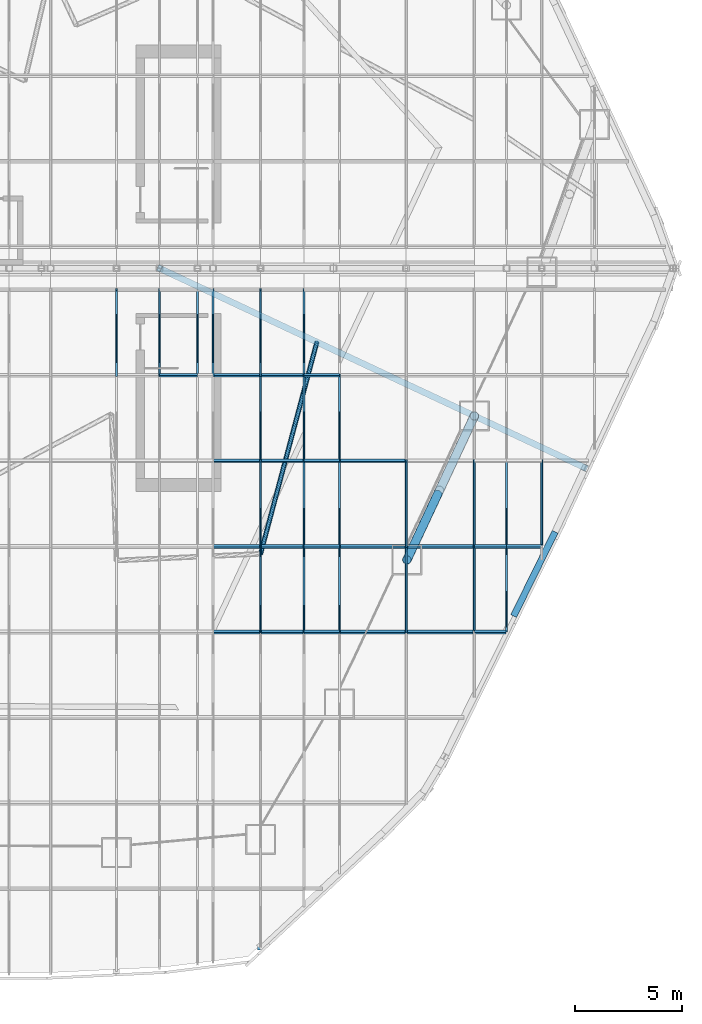
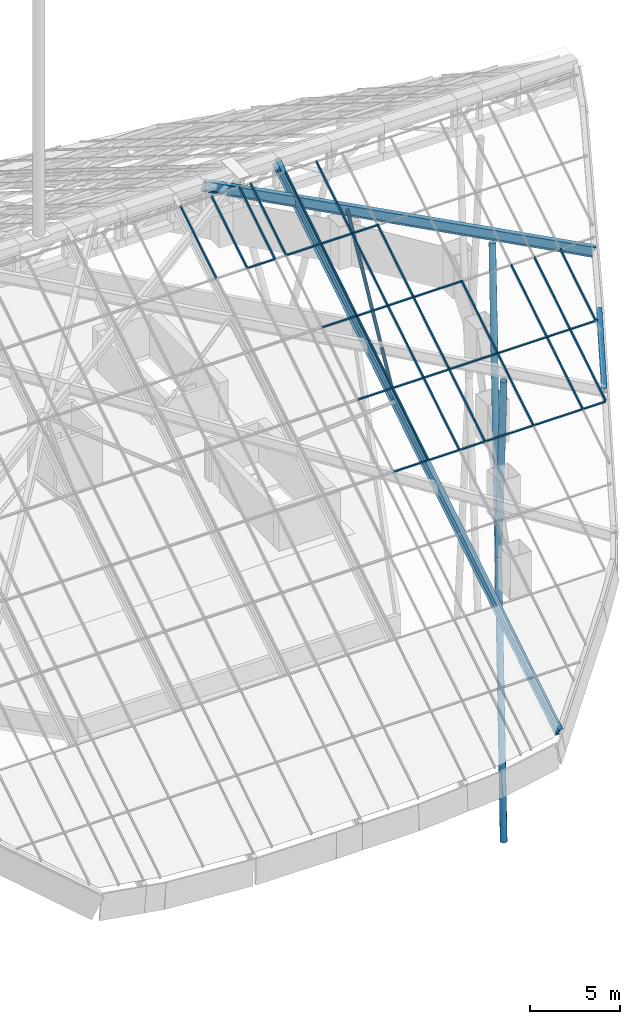
# One storey, part 8 of 38: 49 members, 24 elements without a shape of their own.
"""IFC4 building model written with IfcOpenShell, lengths in metres."""

from ifc_helpers import new_model, si_unit, direction, frame, origin, origin_2d, place, context, subcontext, project, spatial, rectangle, hollow_circle, i_section, extrude, material, layer, layer_set, material_profile, profile_set, type_object, element, aggregate, save


model = new_model("IFC4")

# Units and contexts
model_context = context("Model", 3, precision=1e-05, world=origin(), true_north=direction((0.0, 1.0)))
body_context = subcontext(model_context, "Body", "Model", "MODEL_VIEW")
ifc_project = project(units=[si_unit("LENGTHUNIT", "METRE"), si_unit("AREAUNIT", "SQUARE_METRE"), si_unit("VOLUMEUNIT", "CUBIC_METRE"), si_unit("PLANEANGLEUNIT", "RADIAN"), si_unit("MASSUNIT", "GRAM", prefix="KILO")], contexts=[model_context])

# Site, building, storey
site_placement = place(None, origin())
site = spatial("IfcSite", under=ifc_project, at=site_placement, CompositionType="ELEMENT")
building_placement = place(site_placement, origin())
building = spatial("IfcBuilding", under=site, at=building_placement, Name="Dongbaek Canopy Tower", CompositionType="ELEMENT")
storey_placement = place(building_placement, frame((0.0, 0.0, 375.800048828125)))
storey = spatial("IfcBuildingStorey", under=building, at=storey_placement, Name="Roof", CompositionType="ELEMENT", Elevation=375.800048828125)

# Members
ifc_material_1 = material(Name="Steel S355", Category="steel")
ifc_material_profile_1 = material_profile(ifc_material_1, hollow_circle(Radius=0.203125, WallThickness=0.0126953125, at=origin_2d()), Name="COLONNADE BRACE CHS 406.4x12.7 Steel S355")
ifc_profile_set_1 = profile_set([ifc_material_profile_1], Name="Steel S355")
member_type_1 = type_object("IfcMemberType", Name="COLONNADE BRACE CHS 406.4x12.7 Steel S355", PredefinedType="BRACE", material=ifc_profile_set_1)
member_1_placement = place(storey_placement, frame((22.068115234375, -13.587890625, -22.199951171875), z_axis=(0.086512074832, 0.184734774759, 0.978973300914), x_axis=(-0.905614021722, 0.424102869197, 0.0)))
element("IfcMember", 1, at=member_1_placement, inside=storey, type_object=member_type_1, Name="XBRACE:10:0", PredefinedType="BRACE", context=body_context, shape_type="SweptSolid", body=[
    extrude(hollow_circle(Radius=0.203125, WallThickness=0.0126953125, at=origin_2d()), origin(), (0.0, 0.0, 1.0), 36.31689453125),
])
member_2_placement = place(storey_placement, frame((22.068115234375, -13.587890625, 9.160888671875), z_axis=(0.097503473926, 0.208196630112, -0.97321489702), x_axis=(-0.905607149974, 0.42411754257, 0.0)))
element("IfcMember", 2, at=member_2_placement, inside=storey, type_object=member_type_1, Name="XBRACE:10:2", PredefinedType="BRACE", context=body_context, shape_type="SweptSolid", body=[
    extrude(hollow_circle(Radius=0.203125, WallThickness=0.0126953125, at=origin_2d()), origin(), (0.0, 0.0, 1.0), 14.622802734375),
])

# Curtain wall, member
ifc_material_2 = material(Name="Aluminium 6063-T6 pale anodised", Category="aluminium")
ifc_layer = layer(ifc_material_2, 0.199951171875)
ifc_layer_set = layer_set([ifc_layer], Name="CW-6 canopy glazing curtain wall")
curtain_wall_type = type_object("IfcCurtainWallType", Name="CW-6 canopy glazing curtain wall", PredefinedType="NOTDEFINED", material=ifc_layer_set)
curtain_wall_1_placement = place(storey_placement, origin())
curtain_wall_1 = element("IfcCurtainWall", 3, at=curtain_wall_1_placement, inside=storey, type_object=curtain_wall_type, Name="CW-6 canopy glazing south 19.1", PredefinedType="NOTDEFINED")
ifc_material_3 = material(Name="Aluminium 6063-T6 pale anodised", Category="aluminium")
ifc_material_profile_2 = material_profile(ifc_material_3, rectangle(XDim=0.080078125, YDim=0.199951171875, at=origin_2d()), Name="CW-6 mullion 80 x 200")
ifc_profile_set_2 = profile_set([ifc_material_profile_2], Name="Aluminium 6063-T6 pale anodised")
member_type_2 = type_object("IfcMemberType", Name="CW-6 mullion 80 x 200", PredefinedType="MULLION", material=ifc_profile_set_2)
member_3_placement = place(storey_placement, frame((8.533935546875, -1.0, 18.0986328125), z_axis=(0.0, -0.848068327403, -0.529886886095), x_axis=(1.0, 0.0, 0.0)))
member_3 = element("IfcMember", 4, at=member_3_placement, type_object=member_type_2, Name="CW-6 mullion S19.1.8.5", PredefinedType="MULLION", context=body_context, shape_type="SweptSolid", body=[
    extrude(rectangle(XDim=0.080078125, YDim=0.199951171875, at=origin_2d()), origin(), (0.0, 0.0, 1.0), 4.700439453125),
])
aggregate(curtain_wall_1, [member_3])

curtain_wall_2_placement = place(storey_placement, origin())
curtain_wall_2 = element("IfcCurtainWall", 5, at=curtain_wall_2_placement, inside=storey, type_object=curtain_wall_type, Name="CW-6 canopy glazing south 20.1", PredefinedType="NOTDEFINED")
member_4_placement = place(storey_placement, frame((10.535400390625, -1.0, 18.0986328125), z_axis=(0.0, -0.848068327403, -0.529886886095), x_axis=(1.0, 0.0, 0.0)))
member_4 = element("IfcMember", 6, at=member_4_placement, type_object=member_type_2, Name="CW-6 mullion S20.1.10.5", PredefinedType="MULLION", context=body_context, shape_type="SweptSolid", body=[
    extrude(rectangle(XDim=0.080078125, YDim=0.199951171875, at=origin_2d()), origin(), (0.0, 0.0, 1.0), 4.700439453125),
])
aggregate(curtain_wall_2, [member_4])

curtain_wall_3_placement = place(storey_placement, origin())
curtain_wall_3 = element("IfcCurtainWall", 7, at=curtain_wall_3_placement, inside=storey, type_object=curtain_wall_type, Name="CW-6 canopy glazing south 21.1", PredefinedType="NOTDEFINED")
member_5_placement = place(storey_placement, frame((12.31396484375, -1.0, 18.0986328125), z_axis=(0.0, -0.848068327403, -0.529886886095), x_axis=(1.0, 0.0, 0.0)))
member_5 = element("IfcMember", 8, at=member_5_placement, type_object=member_type_2, Name="CW-6 mullion S21.1.12.3", PredefinedType="MULLION", context=body_context, shape_type="SweptSolid", body=[
    extrude(rectangle(XDim=0.080078125, YDim=0.199951171875, at=origin_2d()), origin(), (0.0, 0.0, 1.0), 4.700439453125),
])

curtain_wall_4_placement = place(storey_placement, origin())
curtain_wall_4 = element("IfcCurtainWall", 9, at=curtain_wall_4_placement, inside=storey, type_object=curtain_wall_type, Name="CW-6 canopy glazing south 22.1", PredefinedType="NOTDEFINED")
member_6_placement = place(storey_placement, frame((13.035400390625, -1.0, 18.0986328125), z_axis=(0.0, -0.848068327403, -0.529886886095), x_axis=(1.0, 0.0, 0.0)))
member_6 = element("IfcMember", 10, at=member_6_placement, type_object=member_type_2, Name="CW-6 mullion S22.1.13.0", PredefinedType="MULLION", context=body_context, shape_type="SweptSolid", body=[
    extrude(rectangle(XDim=0.080078125, YDim=0.199951171875, at=origin_2d()), origin(), (0.0, 0.0, 1.0), 4.700439453125),
])
aggregate(curtain_wall_4, [member_6])

curtain_wall_5_placement = place(storey_placement, origin())
curtain_wall_5 = element("IfcCurtainWall", 11, at=curtain_wall_5_placement, inside=storey, type_object=curtain_wall_type, Name="CW-6 canopy glazing south 23.1", PredefinedType="NOTDEFINED")
member_7_placement = place(storey_placement, frame((15.251953125, -1.0, 18.0986328125), z_axis=(0.0, -0.848068327403, -0.529886886095), x_axis=(1.0, 0.0, 0.0)))
member_7 = element("IfcMember", 12, at=member_7_placement, type_object=member_type_2, Name="CW-6 mullion S23.1.15.3", PredefinedType="MULLION", context=body_context, shape_type="SweptSolid", body=[
    extrude(rectangle(XDim=0.080078125, YDim=0.199951171875, at=origin_2d()), origin(), (0.0, 0.0, 1.0), 4.700439453125),
])

curtain_wall_6_placement = place(storey_placement, origin())
curtain_wall_6 = element("IfcCurtainWall", 13, at=curtain_wall_6_placement, inside=storey, type_object=curtain_wall_type, Name="CW-6 canopy glazing south 23.2", PredefinedType="NOTDEFINED")
member_8_placement = place(storey_placement, frame((15.251953125, -4.986328125, 15.60791015625), z_axis=(0.0, -0.848030400431, -0.529947582262), x_axis=(1.0, 0.0, 0.0)))
member_8 = element("IfcMember", 14, at=member_8_placement, type_object=member_type_2, Name="CW-6 mullion S23.2.15.3", PredefinedType="MULLION", context=body_context, shape_type="SweptSolid", body=[
    extrude(rectangle(XDim=0.080078125, YDim=0.199951171875, at=origin_2d()), origin(), (0.0, 0.0, 1.0), 4.700439453125),
])

curtain_wall_7_placement = place(storey_placement, origin())
curtain_wall_7 = element("IfcCurtainWall", 15, at=curtain_wall_7_placement, inside=storey, type_object=curtain_wall_type, Name="CW-6 canopy glazing south 23.3", PredefinedType="NOTDEFINED")
member_9_placement = place(storey_placement, frame((15.251953125, -8.972412109375, 13.116943359375), z_axis=(0.0, -0.848068327403, -0.529886886095), x_axis=(1.0, 0.0, 0.0)))
member_9 = element("IfcMember", 16, at=member_9_placement, type_object=member_type_2, Name="CW-6 mullion S23.3.15.3", PredefinedType="MULLION", context=body_context, shape_type="SweptSolid", body=[
    extrude(rectangle(XDim=0.080078125, YDim=0.199951171875, at=origin_2d()), origin(), (0.0, 0.0, 1.0), 4.700439453125),
])

curtain_wall_8_placement = place(storey_placement, origin())
curtain_wall_8 = element("IfcCurtainWall", 17, at=curtain_wall_8_placement, inside=storey, type_object=curtain_wall_type, Name="CW-6 canopy glazing south 23.4", PredefinedType="NOTDEFINED")
member_10_placement = place(storey_placement, frame((15.251953125, -12.958740234375, 10.626220703125), z_axis=(0.0, -0.848030400431, -0.529947582262), x_axis=(1.0, 0.0, 0.0)))
member_10 = element("IfcMember", 18, at=member_10_placement, type_object=member_type_2, Name="CW-6 mullion S23.4.15.3", PredefinedType="MULLION", context=body_context, shape_type="SweptSolid", body=[
    extrude(rectangle(XDim=0.080078125, YDim=0.199951171875, at=origin_2d()), origin(), (0.0, 0.0, 1.0), 4.700439453125),
])

curtain_wall_9_placement = place(storey_placement, origin())
curtain_wall_9 = element("IfcCurtainWall", 19, at=curtain_wall_9_placement, inside=storey, type_object=curtain_wall_type, Name="CW-6 canopy glazing south 24.1", PredefinedType="NOTDEFINED")
member_11_placement = place(storey_placement, frame((17.27587890625, -1.0, 18.0986328125), z_axis=(0.0, -0.848068327403, -0.529886886095), x_axis=(1.0, 0.0, 0.0)))
member_11 = element("IfcMember", 20, at=member_11_placement, type_object=member_type_2, Name="CW-6 mullion S24.1.17.3", PredefinedType="MULLION", context=body_context, shape_type="SweptSolid", body=[
    extrude(rectangle(XDim=0.080078125, YDim=0.199951171875, at=origin_2d()), origin(), (0.0, 0.0, 1.0), 4.700439453125),
])

curtain_wall_10_placement = place(storey_placement, origin())
curtain_wall_10 = element("IfcCurtainWall", 21, at=curtain_wall_10_placement, inside=storey, type_object=curtain_wall_type, Name="CW-6 canopy glazing south 24.2", PredefinedType="NOTDEFINED")
member_12_placement = place(storey_placement, frame((17.27587890625, -4.986328125, 15.60791015625), z_axis=(0.0, -0.848030400431, -0.529947582262), x_axis=(1.0, 0.0, 0.0)))
member_12 = element("IfcMember", 22, at=member_12_placement, type_object=member_type_2, Name="CW-6 mullion S24.2.17.3", PredefinedType="MULLION", context=body_context, shape_type="SweptSolid", body=[
    extrude(rectangle(XDim=0.080078125, YDim=0.199951171875, at=origin_2d()), origin(), (0.0, 0.0, 1.0), 4.700439453125),
])

curtain_wall_11_placement = place(storey_placement, origin())
curtain_wall_11 = element("IfcCurtainWall", 23, at=curtain_wall_11_placement, inside=storey, type_object=curtain_wall_type, Name="CW-6 canopy glazing south 24.3", PredefinedType="NOTDEFINED")
member_13_placement = place(storey_placement, frame((17.27587890625, -8.972412109375, 13.116943359375), z_axis=(0.0, -0.848068327403, -0.529886886095), x_axis=(1.0, 0.0, 0.0)))
member_13 = element("IfcMember", 24, at=member_13_placement, type_object=member_type_2, Name="CW-6 mullion S24.3.17.3", PredefinedType="MULLION", context=body_context, shape_type="SweptSolid", body=[
    extrude(rectangle(XDim=0.080078125, YDim=0.199951171875, at=origin_2d()), origin(), (0.0, 0.0, 1.0), 4.700439453125),
])

curtain_wall_12_placement = place(storey_placement, origin())
curtain_wall_12 = element("IfcCurtainWall", 25, at=curtain_wall_12_placement, inside=storey, type_object=curtain_wall_type, Name="CW-6 canopy glazing south 24.4", PredefinedType="NOTDEFINED")
member_14_placement = place(storey_placement, frame((17.27587890625, -12.958740234375, 10.626220703125), z_axis=(0.0, -0.848030400431, -0.529947582262), x_axis=(1.0, 0.0, 0.0)))
member_14 = element("IfcMember", 26, at=member_14_placement, type_object=member_type_2, Name="CW-6 mullion S24.4.17.3", PredefinedType="MULLION", context=body_context, shape_type="SweptSolid", body=[
    extrude(rectangle(XDim=0.080078125, YDim=0.199951171875, at=origin_2d()), origin(), (0.0, 0.0, 1.0), 4.700439453125),
])

curtain_wall_13_placement = place(storey_placement, origin())
curtain_wall_13 = element("IfcCurtainWall", 27, at=curtain_wall_13_placement, inside=storey, type_object=curtain_wall_type, Name="CW-6 canopy glazing south 25.2", PredefinedType="NOTDEFINED")
member_15_placement = place(storey_placement, frame((18.925048828125, -4.986328125, 15.60791015625), z_axis=(0.0, -0.848030400431, -0.529947582262), x_axis=(1.0, 0.0, 0.0)))
member_15 = element("IfcMember", 28, at=member_15_placement, type_object=member_type_2, Name="CW-6 mullion S25.2.18.9", PredefinedType="MULLION", context=body_context, shape_type="SweptSolid", body=[
    extrude(rectangle(XDim=0.080078125, YDim=0.199951171875, at=origin_2d()), origin(), (0.0, 0.0, 1.0), 4.700439453125),
])

curtain_wall_14_placement = place(storey_placement, origin())
curtain_wall_14 = element("IfcCurtainWall", 29, at=curtain_wall_14_placement, inside=storey, type_object=curtain_wall_type, Name="CW-6 canopy glazing south 25.3", PredefinedType="NOTDEFINED")
member_16_placement = place(storey_placement, frame((18.925048828125, -8.972412109375, 13.116943359375), z_axis=(0.0, -0.848068327403, -0.529886886095), x_axis=(1.0, 0.0, 0.0)))
member_16 = element("IfcMember", 30, at=member_16_placement, type_object=member_type_2, Name="CW-6 mullion S25.3.18.9", PredefinedType="MULLION", context=body_context, shape_type="SweptSolid", body=[
    extrude(rectangle(XDim=0.080078125, YDim=0.199951171875, at=origin_2d()), origin(), (0.0, 0.0, 1.0), 4.700439453125),
])

curtain_wall_15_placement = place(storey_placement, origin())
curtain_wall_15 = element("IfcCurtainWall", 31, at=curtain_wall_15_placement, inside=storey, type_object=curtain_wall_type, Name="CW-6 canopy glazing south 25.4", PredefinedType="NOTDEFINED")
member_17_placement = place(storey_placement, frame((18.925048828125, -12.958740234375, 10.626220703125), z_axis=(0.0, -0.848030400431, -0.529947582262), x_axis=(1.0, 0.0, 0.0)))
member_17 = element("IfcMember", 32, at=member_17_placement, type_object=member_type_2, Name="CW-6 mullion S25.4.18.9", PredefinedType="MULLION", context=body_context, shape_type="SweptSolid", body=[
    extrude(rectangle(XDim=0.080078125, YDim=0.199951171875, at=origin_2d()), origin(), (0.0, 0.0, 1.0), 4.700439453125),
])

curtain_wall_16_placement = place(storey_placement, origin())
curtain_wall_16 = element("IfcCurtainWall", 33, at=curtain_wall_16_placement, inside=storey, type_object=curtain_wall_type, Name="CW-6 canopy glazing south 26.3", PredefinedType="NOTDEFINED")
member_18_placement = place(storey_placement, frame((22.035400390625, -8.972412109375, 13.116943359375), z_axis=(0.0, -0.848068327403, -0.529886886095), x_axis=(1.0, 0.0, 0.0)))
member_18 = element("IfcMember", 34, at=member_18_placement, type_object=member_type_2, Name="CW-6 mullion S26.3.22.0", PredefinedType="MULLION", context=body_context, shape_type="SweptSolid", body=[
    extrude(rectangle(XDim=0.080078125, YDim=0.199951171875, at=origin_2d()), origin(), (0.0, 0.0, 1.0), 4.700439453125),
])

curtain_wall_17_placement = place(storey_placement, origin())
curtain_wall_17 = element("IfcCurtainWall", 35, at=curtain_wall_17_placement, inside=storey, type_object=curtain_wall_type, Name="CW-6 canopy glazing south 26.4", PredefinedType="NOTDEFINED")
member_19_placement = place(storey_placement, frame((22.035400390625, -12.958740234375, 10.626220703125), z_axis=(0.0, -0.848030400431, -0.529947582262), x_axis=(1.0, 0.0, 0.0)))
member_19 = element("IfcMember", 36, at=member_19_placement, type_object=member_type_2, Name="CW-6 mullion S26.4.22.0", PredefinedType="MULLION", context=body_context, shape_type="SweptSolid", body=[
    extrude(rectangle(XDim=0.080078125, YDim=0.199951171875, at=origin_2d()), origin(), (0.0, 0.0, 1.0), 4.700439453125),
])

curtain_wall_18_placement = place(storey_placement, origin())
curtain_wall_18 = element("IfcCurtainWall", 37, at=curtain_wall_18_placement, inside=storey, type_object=curtain_wall_type, Name="CW-6 canopy glazing south 27.3", PredefinedType="NOTDEFINED")
member_20_placement = place(storey_placement, frame((25.2099609375, -8.972412109375, 13.116943359375), z_axis=(0.0, -0.848068327403, -0.529886886095), x_axis=(1.0, 0.0, 0.0)))
member_20 = element("IfcMember", 38, at=member_20_placement, type_object=member_type_2, Name="CW-6 mullion S27.3.25.2", PredefinedType="MULLION", context=body_context, shape_type="SweptSolid", body=[
    extrude(rectangle(XDim=0.080078125, YDim=0.199951171875, at=origin_2d()), origin(), (0.0, 0.0, 1.0), 4.700439453125),
])

curtain_wall_19_placement = place(storey_placement, origin())
curtain_wall_19 = element("IfcCurtainWall", 39, at=curtain_wall_19_placement, inside=storey, type_object=curtain_wall_type, Name="CW-6 canopy glazing south 27.4", PredefinedType="NOTDEFINED")
member_21_placement = place(storey_placement, frame((25.2099609375, -12.958740234375, 10.626220703125), z_axis=(0.0, -0.848030400431, -0.529947582262), x_axis=(1.0, 0.0, 0.0)))
member_21 = element("IfcMember", 40, at=member_21_placement, type_object=member_type_2, Name="CW-6 mullion S27.4.25.2", PredefinedType="MULLION", context=body_context, shape_type="SweptSolid", body=[
    extrude(rectangle(XDim=0.080078125, YDim=0.199951171875, at=origin_2d()), origin(), (0.0, 0.0, 1.0), 4.700439453125),
])

curtain_wall_20_placement = place(storey_placement, origin())
curtain_wall_20 = element("IfcCurtainWall", 41, at=curtain_wall_20_placement, inside=storey, type_object=curtain_wall_type, Name="CW-6 canopy glazing south 28.3", PredefinedType="NOTDEFINED")
member_22_placement = place(storey_placement, frame((26.702880859375, -8.972412109375, 13.116943359375), z_axis=(0.0, -0.848068327403, -0.529886886095), x_axis=(1.0, 0.0, 0.0)))
member_22 = element("IfcMember", 42, at=member_22_placement, type_object=member_type_2, Name="CW-6 mullion S28.3.26.7", PredefinedType="MULLION", context=body_context, shape_type="SweptSolid", body=[
    extrude(rectangle(XDim=0.080078125, YDim=0.199951171875, at=origin_2d()), origin(), (0.0, 0.0, 1.0), 4.700439453125),
])

curtain_wall_21_placement = place(storey_placement, origin())
curtain_wall_21 = element("IfcCurtainWall", 43, at=curtain_wall_21_placement, inside=storey, type_object=curtain_wall_type, Name="CW-6 canopy glazing south 28.4", PredefinedType="NOTDEFINED")
member_23_placement = place(storey_placement, frame((26.702880859375, -12.958740234375, 10.626220703125), z_axis=(0.0, -0.848039704119, -0.529932694064), x_axis=(1.0, 0.0, 0.0)))
member_23 = element("IfcMember", 44, at=member_23_placement, type_object=member_type_2, Name="CW-6 mullion S28.4.26.7", PredefinedType="MULLION", context=body_context, shape_type="SweptSolid", body=[
    extrude(rectangle(XDim=0.080078125, YDim=0.199951171875, at=origin_2d()), origin(), (0.0, 0.0, 1.0), 4.637939453125),
])

curtain_wall_22_placement = place(storey_placement, origin())
curtain_wall_22 = element("IfcCurtainWall", 45, at=curtain_wall_22_placement, inside=storey, type_object=curtain_wall_type, Name="CW-6 canopy glazing south 29.3", PredefinedType="NOTDEFINED")
member_24_placement = place(storey_placement, frame((28.35107421875, -8.972412109375, 13.116943359375), z_axis=(0.0, -0.848068327403, -0.529886886095), x_axis=(1.0, 0.0, 0.0)))
member_24 = element("IfcMember", 46, at=member_24_placement, type_object=member_type_2, Name="CW-6 mullion S29.3.28.4", PredefinedType="MULLION", context=body_context, shape_type="SweptSolid", body=[
    extrude(rectangle(XDim=0.080078125, YDim=0.199951171875, at=origin_2d()), origin(), (0.0, 0.0, 1.0), 4.700439453125),
])

# Member
ifc_material_4 = material(Name="Aluminium 6063-T6 pale anodised", Category="aluminium")
ifc_material_profile_3 = material_profile(ifc_material_4, rectangle(XDim=0.080078125, YDim=0.199951171875, at=origin_2d()), Name="CW-6 transom 80 x 200")
ifc_profile_set_3 = profile_set([ifc_material_profile_3], Name="Aluminium 6063-T6 pale anodised")
member_type_3 = type_object("IfcMemberType", Name="CW-6 transom 80 x 200", PredefinedType="USERDEFINED", material=ifc_profile_set_3)
member_25_placement = place(storey_placement, frame((10.535400390625, -4.986328125, 15.60791015625), z_axis=(1.0, 0.0, 0.0), x_axis=(0.0, 0.848048096156, 0.529919264233)))
member_25 = element("IfcMember", 47, at=member_25_placement, type_object=member_type_3, Name="CW-6 transom S21.1.2", ObjectType="TRANSOM", PredefinedType="USERDEFINED", context=body_context, shape_type="SweptSolid", body=[
    extrude(rectangle(XDim=0.080078125, YDim=0.199951171875, at=origin_2d()), origin(), (0.0, 0.0, 1.0), 1.778564453125),
])

aggregate(curtain_wall_3, [member_5, member_25])

member_26_placement = place(storey_placement, frame((13.035400390625, -4.986328125, 15.60791015625), z_axis=(1.0, 0.0, 0.0), x_axis=(0.0, 0.848048096156, 0.529919264233)))
member_26 = element("IfcMember", 48, at=member_26_placement, type_object=member_type_3, Name="CW-6 transom S23.1.2", ObjectType="TRANSOM", PredefinedType="USERDEFINED", context=body_context, shape_type="SweptSolid", body=[
    extrude(rectangle(XDim=0.080078125, YDim=0.199951171875, at=origin_2d()), origin(), (0.0, 0.0, 1.0), 2.216552734375),
])

aggregate(curtain_wall_5, [member_7, member_26])

member_27_placement = place(storey_placement, frame((13.035400390625, -8.972412109375, 13.116943359375), z_axis=(1.0, 0.0, 0.0), x_axis=(0.0, 0.848048096156, 0.529919264233)))
member_27 = element("IfcMember", 49, at=member_27_placement, type_object=member_type_3, Name="CW-6 transom S23.2.3", ObjectType="TRANSOM", PredefinedType="USERDEFINED", context=body_context, shape_type="SweptSolid", body=[
    extrude(rectangle(XDim=0.080078125, YDim=0.199951171875, at=origin_2d()), origin(), (0.0, 0.0, 1.0), 2.216552734375),
])

aggregate(curtain_wall_6, [member_8, member_27])

member_28_placement = place(storey_placement, frame((13.035400390625, -12.958740234375, 10.626220703125), z_axis=(1.0, 0.0, 0.0), x_axis=(0.0, 0.848048096156, 0.529919264233)))
member_28 = element("IfcMember", 50, at=member_28_placement, type_object=member_type_3, Name="CW-6 transom S23.3.4", ObjectType="TRANSOM", PredefinedType="USERDEFINED", context=body_context, shape_type="SweptSolid", body=[
    extrude(rectangle(XDim=0.080078125, YDim=0.199951171875, at=origin_2d()), origin(), (0.0, 0.0, 1.0), 2.216552734375),
])

aggregate(curtain_wall_7, [member_9, member_28])

member_29_placement = place(storey_placement, frame((13.035400390625, -16.94482421875, 8.13525390625), z_axis=(1.0, 0.0, 0.0), x_axis=(0.0, 0.848048096156, 0.529919264233)))
member_29 = element("IfcMember", 51, at=member_29_placement, type_object=member_type_3, Name="CW-6 transom S23.4.5", ObjectType="TRANSOM", PredefinedType="USERDEFINED", context=body_context, shape_type="SweptSolid", body=[
    extrude(rectangle(XDim=0.080078125, YDim=0.199951171875, at=origin_2d()), origin(), (0.0, 0.0, 1.0), 2.216552734375),
])

aggregate(curtain_wall_8, [member_10, member_29])

member_30_placement = place(storey_placement, frame((15.251953125, -4.986328125, 15.60791015625), z_axis=(1.0, 0.0, 0.0), x_axis=(0.0, 0.848048096156, 0.529919264233)))
member_30 = element("IfcMember", 52, at=member_30_placement, type_object=member_type_3, Name="CW-6 transom S24.1.2", ObjectType="TRANSOM", PredefinedType="USERDEFINED", context=body_context, shape_type="SweptSolid", body=[
    extrude(rectangle(XDim=0.080078125, YDim=0.199951171875, at=origin_2d()), origin(), (0.0, 0.0, 1.0), 2.02392578125),
])

aggregate(curtain_wall_9, [member_11, member_30])

member_31_placement = place(storey_placement, frame((15.251953125, -8.972412109375, 13.116943359375), z_axis=(1.0, 0.0, 0.0), x_axis=(0.0, 0.848048096156, 0.529919264233)))
member_31 = element("IfcMember", 53, at=member_31_placement, type_object=member_type_3, Name="CW-6 transom S24.2.3", ObjectType="TRANSOM", PredefinedType="USERDEFINED", context=body_context, shape_type="SweptSolid", body=[
    extrude(rectangle(XDim=0.080078125, YDim=0.199951171875, at=origin_2d()), origin(), (0.0, 0.0, 1.0), 2.02392578125),
])

aggregate(curtain_wall_10, [member_12, member_31])

member_32_placement = place(storey_placement, frame((15.251953125, -12.958740234375, 10.626220703125), z_axis=(1.0, 0.0, 0.0), x_axis=(0.0, 0.848048096156, 0.529919264233)))
member_32 = element("IfcMember", 54, at=member_32_placement, type_object=member_type_3, Name="CW-6 transom S24.3.4", ObjectType="TRANSOM", PredefinedType="USERDEFINED", context=body_context, shape_type="SweptSolid", body=[
    extrude(rectangle(XDim=0.080078125, YDim=0.199951171875, at=origin_2d()), origin(), (0.0, 0.0, 1.0), 2.02392578125),
])

aggregate(curtain_wall_11, [member_13, member_32])

member_33_placement = place(storey_placement, frame((15.251953125, -16.94482421875, 8.13525390625), z_axis=(1.0, 0.0, 0.0), x_axis=(0.0, 0.848048096156, 0.529919264233)))
member_33 = element("IfcMember", 55, at=member_33_placement, type_object=member_type_3, Name="CW-6 transom S24.4.5", ObjectType="TRANSOM", PredefinedType="USERDEFINED", context=body_context, shape_type="SweptSolid", body=[
    extrude(rectangle(XDim=0.080078125, YDim=0.199951171875, at=origin_2d()), origin(), (0.0, 0.0, 1.0), 2.02392578125),
])

aggregate(curtain_wall_12, [member_14, member_33])

# Curtain wall, member
curtain_wall_23_placement = place(storey_placement, origin())
curtain_wall_23 = element("IfcCurtainWall", 56, at=curtain_wall_23_placement, inside=storey, type_object=curtain_wall_type, Name="CW-6 canopy glazing south 25.1", PredefinedType="NOTDEFINED")
member_34_placement = place(storey_placement, frame((17.27587890625, -4.986328125, 15.60791015625), z_axis=(1.0, 0.0, 0.0), x_axis=(0.0, 0.848048096156, 0.529919264233)))
member_34 = element("IfcMember", 57, at=member_34_placement, type_object=member_type_3, Name="CW-6 transom S25.1.2", ObjectType="TRANSOM", PredefinedType="USERDEFINED", context=body_context, shape_type="SweptSolid", body=[
    extrude(rectangle(XDim=0.080078125, YDim=0.199951171875, at=origin_2d()), origin(), (0.0, 0.0, 1.0), 1.649169921875),
])
aggregate(curtain_wall_23, [member_34])

# Member
member_35_placement = place(storey_placement, frame((17.27587890625, -8.972412109375, 13.116943359375), z_axis=(1.0, 0.0, 0.0), x_axis=(0.0, 0.848048096156, 0.529919264233)))
member_35 = element("IfcMember", 58, at=member_35_placement, type_object=member_type_3, Name="CW-6 transom S25.2.3", ObjectType="TRANSOM", PredefinedType="USERDEFINED", context=body_context, shape_type="SweptSolid", body=[
    extrude(rectangle(XDim=0.080078125, YDim=0.199951171875, at=origin_2d()), origin(), (0.0, 0.0, 1.0), 1.649169921875),
])

aggregate(curtain_wall_13, [member_15, member_35])

member_36_placement = place(storey_placement, frame((17.27587890625, -12.958740234375, 10.626220703125), z_axis=(1.0, 0.0, 0.0), x_axis=(0.0, 0.848048096156, 0.529919264233)))
member_36 = element("IfcMember", 59, at=member_36_placement, type_object=member_type_3, Name="CW-6 transom S25.3.4", ObjectType="TRANSOM", PredefinedType="USERDEFINED", context=body_context, shape_type="SweptSolid", body=[
    extrude(rectangle(XDim=0.080078125, YDim=0.199951171875, at=origin_2d()), origin(), (0.0, 0.0, 1.0), 1.649169921875),
])

aggregate(curtain_wall_14, [member_16, member_36])

member_37_placement = place(storey_placement, frame((17.27587890625, -16.94482421875, 8.13525390625), z_axis=(1.0, 0.0, 0.0), x_axis=(0.0, 0.848048096156, 0.529919264233)))
member_37 = element("IfcMember", 60, at=member_37_placement, type_object=member_type_3, Name="CW-6 transom S25.4.5", ObjectType="TRANSOM", PredefinedType="USERDEFINED", context=body_context, shape_type="SweptSolid", body=[
    extrude(rectangle(XDim=0.080078125, YDim=0.199951171875, at=origin_2d()), origin(), (0.0, 0.0, 1.0), 1.649169921875),
])

aggregate(curtain_wall_15, [member_17, member_37])

# Curtain wall, member
curtain_wall_24_placement = place(storey_placement, origin())
curtain_wall_24 = element("IfcCurtainWall", 61, at=curtain_wall_24_placement, inside=storey, type_object=curtain_wall_type, Name="CW-6 canopy glazing south 26.2", PredefinedType="NOTDEFINED")
member_38_placement = place(storey_placement, frame((18.925048828125, -8.972412109375, 13.116943359375), z_axis=(1.0, 0.0, 0.0), x_axis=(0.0, 0.848048096156, 0.529919264233)))
member_38 = element("IfcMember", 62, at=member_38_placement, type_object=member_type_3, Name="CW-6 transom S26.2.3", ObjectType="TRANSOM", PredefinedType="USERDEFINED", context=body_context, shape_type="SweptSolid", body=[
    extrude(rectangle(XDim=0.080078125, YDim=0.199951171875, at=origin_2d()), origin(), (0.0, 0.0, 1.0), 3.1103515625),
])
aggregate(curtain_wall_24, [member_38])

# Member
member_39_placement = place(storey_placement, frame((18.925048828125, -12.958740234375, 10.626220703125), z_axis=(1.0, 0.0, 0.0), x_axis=(0.0, 0.848048096156, 0.529919264233)))
member_39 = element("IfcMember", 63, at=member_39_placement, type_object=member_type_3, Name="CW-6 transom S26.3.4", ObjectType="TRANSOM", PredefinedType="USERDEFINED", context=body_context, shape_type="SweptSolid", body=[
    extrude(rectangle(XDim=0.080078125, YDim=0.199951171875, at=origin_2d()), origin(), (0.0, 0.0, 1.0), 3.1103515625),
])

aggregate(curtain_wall_16, [member_18, member_39])

member_40_placement = place(storey_placement, frame((18.925048828125, -16.94482421875, 8.13525390625), z_axis=(1.0, 0.0, 0.0), x_axis=(0.0, 0.848048096156, 0.529919264233)))
member_40 = element("IfcMember", 64, at=member_40_placement, type_object=member_type_3, Name="CW-6 transom S26.4.5", ObjectType="TRANSOM", PredefinedType="USERDEFINED", context=body_context, shape_type="SweptSolid", body=[
    extrude(rectangle(XDim=0.080078125, YDim=0.199951171875, at=origin_2d()), origin(), (0.0, 0.0, 1.0), 3.1103515625),
])

aggregate(curtain_wall_17, [member_19, member_40])

member_41_placement = place(storey_placement, frame((22.035400390625, -12.958740234375, 10.626220703125), z_axis=(1.0, 0.0, 0.0), x_axis=(0.0, 0.848048096156, 0.529919264233)))
member_41 = element("IfcMember", 65, at=member_41_placement, type_object=member_type_3, Name="CW-6 transom S27.3.4", ObjectType="TRANSOM", PredefinedType="USERDEFINED", context=body_context, shape_type="SweptSolid", body=[
    extrude(rectangle(XDim=0.080078125, YDim=0.199951171875, at=origin_2d()), origin(), (0.0, 0.0, 1.0), 3.174560546875),
])

aggregate(curtain_wall_18, [member_20, member_41])

member_42_placement = place(storey_placement, frame((22.035400390625, -16.94482421875, 8.13525390625), z_axis=(1.0, 0.0, 0.0), x_axis=(0.0, 0.848048096156, 0.529919264233)))
member_42 = element("IfcMember", 66, at=member_42_placement, type_object=member_type_3, Name="CW-6 transom S27.4.5", ObjectType="TRANSOM", PredefinedType="USERDEFINED", context=body_context, shape_type="SweptSolid", body=[
    extrude(rectangle(XDim=0.080078125, YDim=0.199951171875, at=origin_2d()), origin(), (0.0, 0.0, 1.0), 3.174560546875),
])

aggregate(curtain_wall_19, [member_21, member_42])

member_43_placement = place(storey_placement, frame((25.2099609375, -12.958740234375, 10.626220703125), z_axis=(1.0, 0.0, 0.0), x_axis=(0.0, 0.848048096156, 0.529919264233)))
member_43 = element("IfcMember", 67, at=member_43_placement, type_object=member_type_3, Name="CW-6 transom S28.3.4", ObjectType="TRANSOM", PredefinedType="USERDEFINED", context=body_context, shape_type="SweptSolid", body=[
    extrude(rectangle(XDim=0.080078125, YDim=0.199951171875, at=origin_2d()), origin(), (0.0, 0.0, 1.0), 1.492919921875),
])

aggregate(curtain_wall_20, [member_22, member_43])

member_44_placement = place(storey_placement, frame((25.2099609375, -16.94482421875, 8.13525390625), z_axis=(1.0, 0.0, 0.0), x_axis=(0.0, 0.848048096156, 0.529919264233)))
member_44 = element("IfcMember", 68, at=member_44_placement, type_object=member_type_3, Name="CW-6 transom S28.4.5", ObjectType="TRANSOM", PredefinedType="USERDEFINED", context=body_context, shape_type="SweptSolid", body=[
    extrude(rectangle(XDim=0.080078125, YDim=0.199951171875, at=origin_2d()), origin(), (0.0, 0.0, 1.0), 1.467041015625),
])

aggregate(curtain_wall_21, [member_23, member_44])

member_45_placement = place(storey_placement, frame((26.702880859375, -12.958740234375, 10.626220703125), z_axis=(1.0, 0.0, 0.0), x_axis=(0.0, 0.848048096156, 0.529919264233)))
member_45 = element("IfcMember", 69, at=member_45_placement, type_object=member_type_3, Name="CW-6 transom S29.3.4", ObjectType="TRANSOM", PredefinedType="USERDEFINED", context=body_context, shape_type="SweptSolid", body=[
    extrude(rectangle(XDim=0.080078125, YDim=0.199951171875, at=origin_2d()), origin(), (0.0, 0.0, 1.0), 1.648193359375),
])

aggregate(curtain_wall_22, [member_24, member_45])

# Members
ifc_material_5 = material(Name="Steel S355", Category="steel")
ifc_material_profile_4 = material_profile(ifc_material_5, i_section(OverallWidth=0.300048828125, OverallDepth=0.587890625, WebThickness=0.011962890625, FlangeThickness=0.02001953125, FilletRadius=0.028076171875, at=origin_2d()), Name="EAVES BEAM H 588x300x12x20 Steel S355")
ifc_profile_set_4 = profile_set([ifc_material_profile_4], Name="Steel S355")
member_type_4 = type_object("IfcMemberType", Name="EAVES BEAM H 588x300x12x20 Steel S355", PredefinedType="MEMBER", material=ifc_profile_set_4)
member_46_placement = place(storey_placement, frame((27.105224609375, -16.073974609375, 8.20751953125), z_axis=(0.385026831556, 0.782668710471, 0.489064442208), x_axis=(-0.897301020107, 0.441419165097, 0.0)))
element("IfcMember", 70, at=member_46_placement, inside=storey, type_object=member_type_4, Name="EAVE:26", PredefinedType="MEMBER", context=body_context, shape_type="SweptSolid", body=[
    extrude(i_section(OverallWidth=0.300048828125, OverallDepth=0.587890625, WebThickness=0.011962890625, FlangeThickness=0.02001953125, FilletRadius=0.028076171875, at=origin_2d()), origin(), (0.0, 0.0, 1.0), 5.012451171875),
])
ifc_material_6 = material(Name="Steel S355", Category="steel")
ifc_material_profile_5 = material_profile(ifc_material_6, hollow_circle(Radius=0.108154296875, WallThickness=0.00830078125, at=origin_2d()), Name="PURLIN CHS 216.3x8.2 Steel S355")
ifc_profile_set_5 = profile_set([ifc_material_profile_5], Name="Steel S355")
member_type_5 = type_object("IfcMemberType", Name="PURLIN CHS 216.3x8.2 Steel S355", PredefinedType="PURLIN", material=ifc_profile_set_5)
member_47_placement = place(storey_placement, frame((15.251953125, -13.303466796875, 9.938720703125), z_axis=(0.219812797326, 0.827302883125, 0.516964480119), x_axis=(-0.966467597382, 0.256788596339, 0.0)))
element("IfcMember", 71, at=member_47_placement, inside=storey, type_object=member_type_5, Name="PURLIN:0:10", PredefinedType="PURLIN", context=body_context, shape_type="SweptSolid", body=[
    extrude(hollow_circle(Radius=0.108154296875, WallThickness=0.00830078125, at=origin_2d()), origin(), (0.0, 0.0, 1.0), 11.923095703125),
])
ifc_material_7 = material(Name="Steel S355", Category="steel")
ifc_material_profile_6 = material_profile(ifc_material_7, i_section(OverallWidth=0.300048828125, OverallDepth=0.699951171875, WebThickness=0.012939453125, FlangeThickness=0.02392578125, FilletRadius=0.028076171875, at=origin_2d()), Name="RAFTER H 700x300x13x24 Steel S355")
ifc_profile_set_6 = profile_set([ifc_material_profile_6], Name="Steel S355")
member_type_6 = type_object("IfcMemberType", Name="RAFTER H 700x300x13x24 Steel S355", PredefinedType="RAFTER", material=ifc_profile_set_6)
member_48_placement = place(storey_placement, frame((15.251953125, -31.57666015625, -1.4794921875), z_axis=(0.0, 0.848049134066, 0.529917603226), x_axis=(-1.0, 0.0, 0.0)))
element("IfcMember", 72, at=member_48_placement, inside=storey, type_object=member_type_6, Name="RAFTER:09", PredefinedType="RAFTER", context=body_context, shape_type="SweptSolid", body=[
    extrude(i_section(OverallWidth=0.300048828125, OverallDepth=0.699951171875, WebThickness=0.012939453125, FlangeThickness=0.02392578125, FilletRadius=0.028076171875, at=origin_2d()), origin(), (0.0, 0.0, 1.0), 37.234375),
])
member_49_placement = place(storey_placement, frame((30.37109375, -9.29833984375, 12.44140625), z_axis=(-0.875192962313, 0.410262522464, 0.256362909524), x_axis=(-0.424447295915, -0.905452645361, 0.0)))
element("IfcMember", 73, at=member_49_placement, inside=storey, type_object=member_type_6, Name="RAFTER:12", PredefinedType="RAFTER", context=body_context, shape_type="SweptSolid", body=[
    extrude(i_section(OverallWidth=0.300048828125, OverallDepth=0.699951171875, WebThickness=0.012939453125, FlangeThickness=0.02392578125, FilletRadius=0.028076171875, at=origin_2d()), origin(), (0.0, 0.0, 1.0), 22.664306640625),
])

save(model, "model.ifc")
